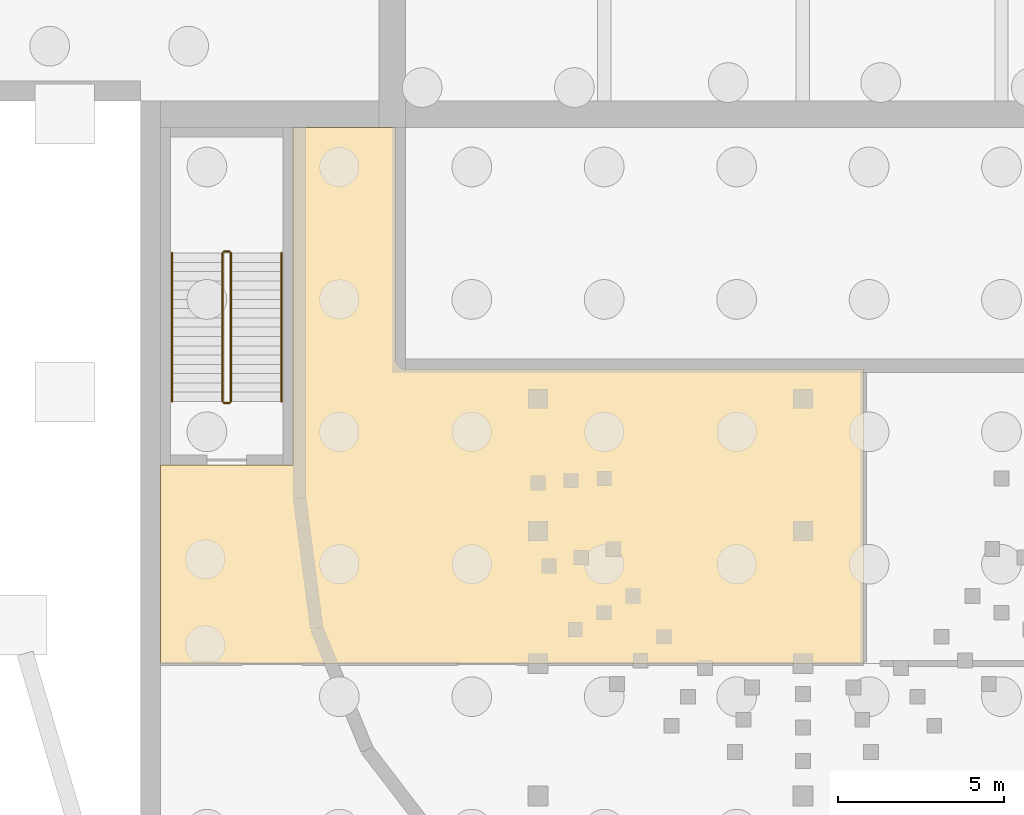
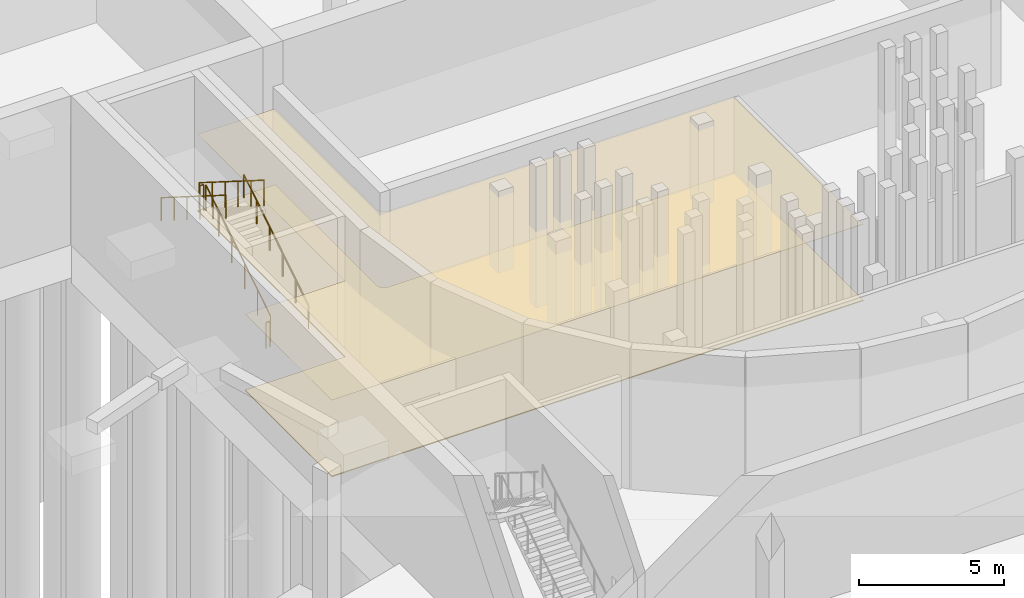
# One storey, part 50 of 66: 6 railings, 2 coverings.
"""IFC4 building model written with IfcOpenShell, lengths in metres."""

from ifc_helpers import new_model, si_unit, direction, frame, origin, origin_2d, place, context, subcontext, project, spatial, polyline, circle, outline, extrude, material, layer, layer_set, type_object, element, save


model = new_model("IFC4")

# Units and contexts
model_context = context("Model", 3, precision=1e-05, world=origin(), true_north=direction((0.0, 1.0)))
body_context = subcontext(model_context, "Body", "Model", "MODEL_VIEW")
ifc_project = project(units=[si_unit("LENGTHUNIT", "METRE"), si_unit("AREAUNIT", "SQUARE_METRE"), si_unit("VOLUMEUNIT", "CUBIC_METRE"), si_unit("PLANEANGLEUNIT", "RADIAN"), si_unit("MASSUNIT", "GRAM", prefix="KILO")], contexts=[model_context])

# Site, building, storey
site_placement = place(None, origin())
site = spatial("IfcSite", under=ifc_project, at=site_placement, CompositionType="ELEMENT")
building_placement = place(site_placement, origin())
building = spatial("IfcBuilding", under=site, at=building_placement, Name="Lunette Opera House", CompositionType="ELEMENT")
storey_placement = place(building_placement, frame((0.0, 0.0, -6.0)))
storey = spatial("IfcBuildingStorey", under=building, at=storey_placement, Name="B1", CompositionType="ELEMENT", Elevation=-6.0)

# Railings
ifc_material_1 = material(Name="Steel S355", Category="steel")
railing_type_1 = type_object("IfcRailingType", Name="STAIR GUARD 1100", PredefinedType="GUARDRAIL", material=ifc_material_1)
railing_1_placement = place(storey_placement, frame((78.72998046875, 86.919921875, 0.176513671875)))
element("IfcRailing", 1, at=railing_1_placement, inside=storey, type_object=railing_type_1, Name="B1 ST10 stair guard 1", PredefinedType="GUARDRAIL", context=body_context, shape_type="SweptSolid", body=[
    extrude(circle(Radius=0.02392578125, at=origin_2d()), frame((0.0, 0.0, 1.076171875), z_axis=(0.0, 0.845997938375, 0.533186166611), x_axis=(-1.0, 0.0, 0.0)), (0.0, 0.0, 1.0), 5.29541015625),
    extrude(circle(Radius=0.02099609375, at=origin_2d()), origin(), (0.0, 0.0, 1.0), 1.052001953125),
    extrude(circle(Radius=0.02099609375, at=origin_2d()), frame((0.0, 0.89599609375, 0.564697265625)), (0.0, 0.0, 1.0), 1.052001953125),
    extrude(circle(Radius=0.02099609375, at=origin_2d()), frame((0.0, 1.7919921875, 1.12939453125)), (0.0, 0.0, 1.0), 1.052001953125),
    extrude(circle(Radius=0.02099609375, at=origin_2d()), frame((0.0, 2.68798828125, 1.694091796875)), (0.0, 0.0, 1.0), 1.052001953125),
    extrude(circle(Radius=0.02099609375, at=origin_2d()), frame((0.0, 3.583984375, 2.2587890625)), (0.0, 0.0, 1.0), 1.052001953125),
    extrude(circle(Radius=0.02099609375, at=origin_2d()), frame((0.0, 4.47998046875, 2.823486328125)), (0.0, 0.0, 1.0), 1.052001953125),
])
railing_2_placement = place(storey_placement, frame((78.679931640625, 91.449951171875, 3.0)))
element("IfcRailing", 2, at=railing_2_placement, inside=storey, type_object=railing_type_1, Name="B1 ST10 stair guard 2", PredefinedType="GUARDRAIL", context=body_context, shape_type="SweptSolid", body=[
    extrude(circle(Radius=0.02392578125, at=origin_2d()), frame((0.0, 0.0, 1.076171875), z_axis=(-1.0, 0.0, 0.0), x_axis=(0.0, -1.0, 0.0)), (0.0, 0.0, 1.0), 0.159912109375),
    extrude(circle(Radius=0.02099609375, at=origin_2d()), origin(), (0.0, 0.0, 1.0), 1.052001953125),
    extrude(circle(Radius=0.02099609375, at=origin_2d()), frame((-0.159912109375, 0.0, 0.0)), (0.0, 0.0, 1.0), 1.052001953125),
])
railing_3_placement = place(storey_placement, frame((78.469970703125, 91.39990234375, 3.176513671875)))
element("IfcRailing", 3, at=railing_3_placement, inside=storey, type_object=railing_type_1, Name="B1 ST10 stair guard 3", PredefinedType="GUARDRAIL", context=body_context, shape_type="SweptSolid", body=[
    extrude(circle(Radius=0.02392578125, at=origin_2d()), frame((0.0, 0.0, 1.076171875), z_axis=(0.0, -0.845997938375, 0.533186166611), x_axis=(1.0, 0.0, 0.0)), (0.0, 0.0, 1.0), 5.29541015625),
    extrude(circle(Radius=0.02099609375, at=origin_2d()), origin(), (0.0, 0.0, 1.0), 1.052001953125),
    extrude(circle(Radius=0.02099609375, at=origin_2d()), frame((0.0, -0.89599609375, 0.564697265625)), (0.0, 0.0, 1.0), 1.052001953125),
    extrude(circle(Radius=0.02099609375, at=origin_2d()), frame((0.0, -1.7919921875, 1.12939453125)), (0.0, 0.0, 1.0), 1.052001953125),
    extrude(circle(Radius=0.02099609375, at=origin_2d()), frame((0.0, -2.68798828125, 1.694091796875)), (0.0, 0.0, 1.0), 1.052001953125),
    extrude(circle(Radius=0.02099609375, at=origin_2d()), frame((0.0, -3.583984375, 2.2587890625)), (0.0, 0.0, 1.0), 1.052001953125),
    extrude(circle(Radius=0.02099609375, at=origin_2d()), frame((0.0, -4.47998046875, 2.823486328125)), (0.0, 0.0, 1.0), 1.052001953125),
])
railing_4_placement = place(storey_placement, frame((78.679931640625, 86.8701171875, 0.0)))
element("IfcRailing", 4, at=railing_4_placement, inside=storey, type_object=railing_type_1, Name="B1 ST10 stair guard 4", PredefinedType="GUARDRAIL", context=body_context, shape_type="SweptSolid", body=[
    extrude(circle(Radius=0.02392578125, at=origin_2d()), frame((0.0, 0.0, 1.076171875), z_axis=(-1.0, 0.0, 0.0), x_axis=(0.0, -1.0, 0.0)), (0.0, 0.0, 1.0), 0.159912109375),
    extrude(circle(Radius=0.02099609375, at=origin_2d()), origin(), (0.0, 0.0, 1.0), 1.052001953125),
    extrude(circle(Radius=0.02099609375, at=origin_2d()), frame((-0.159912109375, 0.0, 0.0)), (0.0, 0.0, 1.0), 1.052001953125),
])
ifc_material_2 = material(Name="Steel S355", Category="steel")
railing_type_2 = type_object("IfcRailingType", Name="STAIR HANDRAIL 1000", PredefinedType="HANDRAIL", material=ifc_material_2)
railing_5_placement = place(storey_placement, frame((80.25, 86.919921875, 0.176513671875)))
element("IfcRailing", 5, at=railing_5_placement, inside=storey, type_object=railing_type_2, Name="B1 ST10 stair handrail 1", PredefinedType="HANDRAIL", context=body_context, shape_type="SweptSolid", body=[
    extrude(circle(Radius=0.02392578125, at=origin_2d()), frame((0.0, 0.0, 0.97607421875), z_axis=(0.0, 0.845997938375, 0.533186166611), x_axis=(-1.0, 0.0, 0.0)), (0.0, 0.0, 1.0), 5.29541015625),
    extrude(circle(Radius=0.02099609375, at=origin_2d()), origin(), (0.0, 0.0, 1.0), 0.951904296875),
    extrude(circle(Radius=0.02099609375, at=origin_2d()), frame((0.0, 0.89599609375, 0.564697265625)), (0.0, 0.0, 1.0), 0.951904296875),
    extrude(circle(Radius=0.02099609375, at=origin_2d()), frame((0.0, 1.7919921875, 1.12939453125)), (0.0, 0.0, 1.0), 0.951904296875),
    extrude(circle(Radius=0.02099609375, at=origin_2d()), frame((0.0, 2.68798828125, 1.694091796875)), (0.0, 0.0, 1.0), 0.951904296875),
    extrude(circle(Radius=0.02099609375, at=origin_2d()), frame((0.0, 3.583984375, 2.2587890625)), (0.0, 0.0, 1.0), 0.951904296875),
    extrude(circle(Radius=0.02099609375, at=origin_2d()), frame((0.0, 4.47998046875, 2.823486328125)), (0.0, 0.0, 1.0), 0.951904296875),
])
railing_6_placement = place(storey_placement, frame((76.949951171875, 91.39990234375, 3.176513671875)))
element("IfcRailing", 6, at=railing_6_placement, inside=storey, type_object=railing_type_2, Name="B1 ST10 stair handrail 2", PredefinedType="HANDRAIL", context=body_context, shape_type="SweptSolid", body=[
    extrude(circle(Radius=0.02392578125, at=origin_2d()), frame((0.0, 0.0, 0.97607421875), z_axis=(0.0, -0.845997938375, 0.533186166611), x_axis=(1.0, 0.0, 0.0)), (0.0, 0.0, 1.0), 5.29541015625),
    extrude(circle(Radius=0.02099609375, at=origin_2d()), origin(), (0.0, 0.0, 1.0), 0.951904296875),
    extrude(circle(Radius=0.02099609375, at=origin_2d()), frame((0.0, -0.89599609375, 0.564697265625)), (0.0, 0.0, 1.0), 0.951904296875),
    extrude(circle(Radius=0.02099609375, at=origin_2d()), frame((0.0, -1.7919921875, 1.12939453125)), (0.0, 0.0, 1.0), 0.951904296875),
    extrude(circle(Radius=0.02099609375, at=origin_2d()), frame((0.0, -2.68798828125, 1.694091796875)), (0.0, 0.0, 1.0), 0.951904296875),
    extrude(circle(Radius=0.02099609375, at=origin_2d()), frame((0.0, -3.583984375, 2.2587890625)), (0.0, 0.0, 1.0), 0.951904296875),
    extrude(circle(Radius=0.02099609375, at=origin_2d()), frame((0.0, -4.47998046875, 2.823486328125)), (0.0, 0.0, 1.0), 0.951904296875),
])

# Coverings
ifc_material_3 = material(Name="Mineral fibre board")
ifc_layer_1 = layer(ifc_material_3, 0.014892578125)
ifc_layer_set_1 = layer_set([ifc_layer_1], Name="Mineral fibre board")
covering_type_1 = type_object("IfcCoveringType", Name="SUSPENDED ACOUSTIC CEILING 15", PredefinedType="CEILING", material=ifc_layer_set_1)
covering_1_placement = place(storey_placement, frame((0.0, 0.0, 3.235107421875)))
element("IfcCovering", 7, at=covering_1_placement, inside=storey, type_object=covering_type_1, Name="Ceiling Understage Instrument Room", PredefinedType="CEILING", context=body_context, shape_type="SweptSolid", body=[
    extrude(outline(polyline([(80.60009765625, 95.199951171875), (83.699951171875, 95.199951171875), (83.699951171875, 88.199951171875), (83.700927734375, 88.1708984375), (83.7060546875, 88.14111328125), (83.712890625, 88.113037109375), (83.722900390625, 88.0849609375), (83.735107421875, 88.05908203125), (83.7509765625, 88.032958984375), (83.76806640625, 88.010009765625), (83.7880859375, 87.988037109375), (83.81005859375, 87.968017578125), (83.8330078125, 87.950927734375), (83.85888671875, 87.93505859375), (83.885009765625, 87.923095703125), (83.9130859375, 87.9130859375), (83.94091796875, 87.906005859375), (83.970947265625, 87.90087890625), (84.0, 87.89990234375), (97.830078125, 87.89990234375), (97.830078125, 79.0), (76.60009765625, 79.0), (76.60009765625, 85.0), (80.60009765625, 85.0), (80.60009765625, 95.199951171875)])), origin(), (0.0, 0.0, 1.0), 0.014892578125),
])
ifc_material_4 = material(Name="Timber", Category="wood")
ifc_layer_2 = layer(ifc_material_4, 0.0400390625)
ifc_layer_set_2 = layer_set([ifc_layer_2], Name="Timber")
covering_type_2 = type_object("IfcCoveringType", Name="TIMBER FLOOR FINISH 40", PredefinedType="FLOORING", material=ifc_layer_set_2)
covering_2_placement = place(storey_placement, origin())
element("IfcCovering", 8, at=covering_2_placement, inside=storey, type_object=covering_type_2, Name="Floor finish Understage Instrument Room", PredefinedType="FLOORING", context=body_context, shape_type="SweptSolid", body=[
    extrude(outline(polyline([(80.60009765625, 95.199951171875), (83.699951171875, 95.199951171875), (83.699951171875, 88.199951171875), (83.700927734375, 88.1708984375), (83.7060546875, 88.14111328125), (83.712890625, 88.113037109375), (83.722900390625, 88.0849609375), (83.735107421875, 88.05908203125), (83.7509765625, 88.032958984375), (83.76806640625, 88.010009765625), (83.7880859375, 87.988037109375), (83.81005859375, 87.968017578125), (83.8330078125, 87.950927734375), (83.85888671875, 87.93505859375), (83.885009765625, 87.923095703125), (83.9130859375, 87.9130859375), (83.94091796875, 87.906005859375), (83.970947265625, 87.90087890625), (84.0, 87.89990234375), (97.830078125, 87.89990234375), (97.830078125, 79.0), (76.60009765625, 79.0), (76.60009765625, 85.0), (80.60009765625, 85.0), (80.60009765625, 95.199951171875)])), origin(), (0.0, 0.0, 1.0), 0.0400390625),
])

save(model, "model.ifc")
